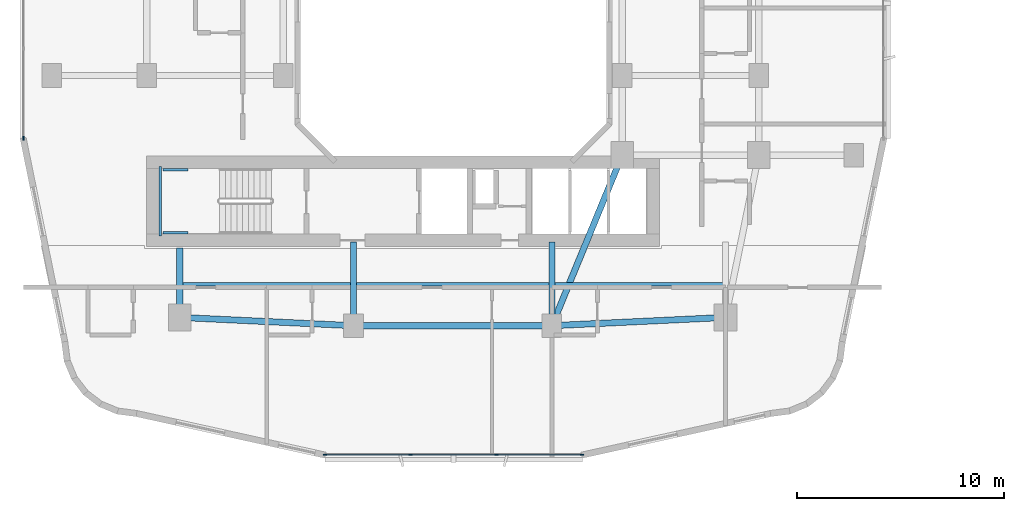
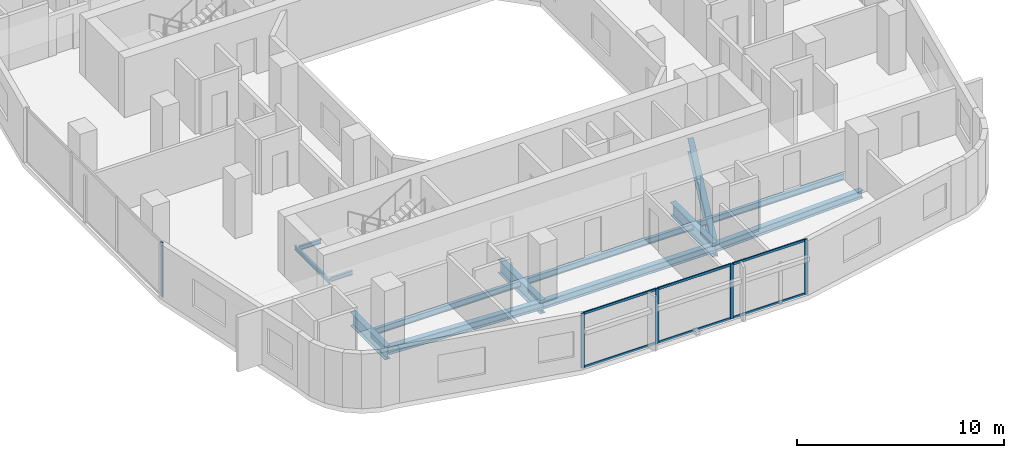
# One storey, part 2 of 27: 13 beams, 11 members, 2 elements without a shape of their own.
"""IFC4 building model written with IfcOpenShell, lengths in metres."""

from ifc_helpers import new_model, si_unit, derived_unit, direction, frame, origin, origin_2d, place, context, subcontext, project, spatial, rectangle, i_section, extrude, material, layer, layer_set, material_profile, profile_set, type_object, element, aggregate, save


model = new_model("IFC4")

# Units and contexts
model_context = context("Model", 3, precision=1e-05, world=origin(), true_north=direction((0.0, 1.0)))
body_context = subcontext(model_context, "Body", "Model", "MODEL_VIEW")
ifc_project = project(units=[si_unit("LENGTHUNIT", "METRE"), si_unit("AREAUNIT", "SQUARE_METRE"), si_unit("VOLUMEUNIT", "CUBIC_METRE"), si_unit("PLANEANGLEUNIT", "RADIAN"), si_unit("MASSUNIT", "GRAM", prefix="KILO"), derived_unit("THERMALTRANSMITTANCEUNIT", [(si_unit("POWERUNIT", "WATT"), 1), (si_unit("LENGTHUNIT", "METRE"), -2), (si_unit("THERMODYNAMICTEMPERATUREUNIT", "KELVIN"), -1)])], contexts=[model_context])

# Site, building, storey
site_placement = place(None, origin())
site = spatial("IfcSite", under=ifc_project, at=site_placement, CompositionType="ELEMENT")
building_placement = place(site_placement, origin())
building = spatial("IfcBuilding", under=site, at=building_placement, Name="Kivonza Crest Hotel", CompositionType="ELEMENT")
storey_placement = place(building_placement, frame((0.0, 0.0, 38.0)))
storey = spatial("IfcBuildingStorey", under=building, at=storey_placement, Name="L09", CompositionType="ELEMENT", Elevation=38.0)

# Beams
ifc_material_1 = material(Name="Steel S355", Category="steel")
ifc_material_profile_1 = material_profile(ifc_material_1, i_section(OverallWidth=0.300048828125, OverallDepth=0.449951171875, WebThickness=0.013916015625, FlangeThickness=0.02587890625, FilletRadius=0.027099609375, at=origin_2d()), Name="HEB 450")
ifc_profile_set_1 = profile_set([ifc_material_profile_1], Name="Steel S355")
beam_type_1 = type_object("IfcBeamType", Name="BM-HEB450", PredefinedType="SPANDREL", material=ifc_profile_set_1)
beam_1_placement = place(storey_placement, frame((16.199951171875, 9.39990234375, -0.5048828125), z_axis=(1.0, 0.0, 0.0), x_axis=(0.0, 1.0, 0.0)))
element("IfcBeam", 1, at=beam_1_placement, inside=storey, type_object=beam_type_1, Name="Tower T1 L09 perimeter spandrel S1-S2", PredefinedType="SPANDREL", context=body_context, shape_type="SweptSolid", body=[
    extrude(i_section(OverallWidth=0.300048828125, OverallDepth=0.449951171875, WebThickness=0.013916015625, FlangeThickness=0.02587890625, FilletRadius=0.027099609375, at=origin_2d()), origin(), (0.0, 0.0, 1.0), 9.60009765625),
])
for number, where, z_axis, x_axis, name in (
    (2, (25.800048828125, 9.39990234375, -0.5048828125), (0.998867283688, 0.047583080799, 0.0), (-0.047583080799, 0.998867283688, 0.0), "Tower T1 L09 perimeter spandrel S2-SE"),
    (3, (7.800048828125, 9.800048828125, -0.5048828125), (0.998867283688, -0.047583080799, 0.0), (0.047583080799, 0.998867283688, 0.0), "Tower T1 L09 perimeter spandrel SW-S1"),
):
    element("IfcBeam", number, at=place(storey_placement, frame(where, z_axis=z_axis, x_axis=x_axis)), inside=storey, type_object=beam_type_1, Name=name, PredefinedType="SPANDREL", context=body_context, shape_type="SweptSolid", body=[
        extrude(i_section(OverallWidth=0.300048828125, OverallDepth=0.449951171875, WebThickness=0.013916015625, FlangeThickness=0.02587890625, FilletRadius=0.027099609375, at=origin_2d()), origin(), (0.0, 0.0, 1.0), 8.409423828125),
    ])
ifc_material_profile_2 = material_profile(ifc_material_1, i_section(OverallWidth=0.300048828125, OverallDepth=0.800048828125, WebThickness=0.017578125, FlangeThickness=0.032958984375, FilletRadius=0.030029296875, at=origin_2d()), Name="HEB 800")
ifc_profile_set_2 = profile_set([ifc_material_profile_2], Name="Steel S355")
beam_type_2 = type_object("IfcBeamType", Name="BM-HEB800", PredefinedType="BEAM", material=ifc_profile_set_2)
beam_2_placement = place(storey_placement, frame((25.800048828125, 9.39990234375, -0.679931640625), z_axis=(0.381022260404, 0.924565864109, 0.0), x_axis=(-0.924565864109, 0.381022260404, 0.0)))
element("IfcBeam", 4, at=beam_2_placement, inside=storey, type_object=beam_type_2, Name="Tower T1 L09 primary girder S1-TSE", PredefinedType="BEAM", context=body_context, shape_type="SweptSolid", body=[
    extrude(i_section(OverallWidth=0.300048828125, OverallDepth=0.800048828125, WebThickness=0.017578125, FlangeThickness=0.032958984375, FilletRadius=0.030029296875, at=origin_2d()), origin(), (0.0, 0.0, 1.0), 8.923095703125),
])
beam_3_placement = place(storey_placement, frame((7.800048828125, 9.800048828125, -0.679931640625), z_axis=(0.0, 1.0, 0.0), x_axis=(-1.0, 0.0, 0.0)))
element("IfcBeam", 5, at=beam_3_placement, inside=storey, type_object=beam_type_2, Name="Tower T1 L09 radial core girder RSW", PredefinedType="BEAM", context=body_context, shape_type="SweptSolid", body=[
    extrude(i_section(OverallWidth=0.300048828125, OverallDepth=0.800048828125, WebThickness=0.017578125, FlangeThickness=0.032958984375, FilletRadius=0.030029296875, at=origin_2d()), origin(), (0.0, 0.0, 1.0), 3.349853515625),
])
for number, where, z_axis, x_axis, name in (
    (6, (16.199951171875, 9.39990234375, -0.679931640625), (0.0, 1.0, 0.0), (-1.0, 0.0, 0.0), "Tower T1 L09 radial core girder RS1"),
    (7, (25.800048828125, 9.39990234375, -0.679931640625), (0.0, 1.0, 0.0), (-1.0, 0.0, 0.0), "Tower T1 L09 radial core girder RS2"),
):
    element("IfcBeam", number, at=place(storey_placement, frame(where, z_axis=z_axis, x_axis=x_axis)), inside=storey, type_object=beam_type_2, Name=name, PredefinedType="BEAM", context=body_context, shape_type="SweptSolid", body=[
        extrude(i_section(OverallWidth=0.300048828125, OverallDepth=0.800048828125, WebThickness=0.017578125, FlangeThickness=0.032958984375, FilletRadius=0.030029296875, at=origin_2d()), origin(), (0.0, 0.0, 1.0), 4.050048828125),
    ])
ifc_material_profile_3 = material_profile(ifc_material_1, i_section(OverallWidth=0.169921875, OverallDepth=0.360107421875, WebThickness=0.008056640625, FlangeThickness=0.0126953125, FilletRadius=0.01806640625, at=origin_2d()), Name="IPE 360")
ifc_profile_set_3 = profile_set([ifc_material_profile_3], Name="Steel S355")
beam_type_3 = type_object("IfcBeamType", Name="BM-IPE360", PredefinedType="JOIST", material=ifc_profile_set_3)
beam_4_placement = place(storey_placement, frame((7.8798828125, 11.39990234375, -0.4599609375), z_axis=(1.0, 0.0, 0.0), x_axis=(0.0, 1.0, 0.0)))
element("IfcBeam", 8, at=beam_4_placement, inside=storey, type_object=beam_type_3, Name="Tower T1 L09 South-West floor joist", PredefinedType="JOIST", context=body_context, shape_type="SweptSolid", body=[
    extrude(i_section(OverallWidth=0.169921875, OverallDepth=0.360107421875, WebThickness=0.008056640625, FlangeThickness=0.0126953125, FilletRadius=0.01806640625, at=origin_2d()), origin(), (0.0, 0.0, 1.0), 8.240234375),
])
beam_5_placement = place(storey_placement, frame((16.280029296875, 11.39990234375, -0.4599609375), z_axis=(1.0, 0.0, 0.0), x_axis=(0.0, 1.0, 0.0)))
element("IfcBeam", 9, at=beam_5_placement, inside=storey, type_object=beam_type_3, Name="Tower T1 L09 South-Mid floor joist", PredefinedType="JOIST", context=body_context, shape_type="SweptSolid", body=[
    extrude(i_section(OverallWidth=0.169921875, OverallDepth=0.360107421875, WebThickness=0.008056640625, FlangeThickness=0.0126953125, FilletRadius=0.01806640625, at=origin_2d()), origin(), (0.0, 0.0, 1.0), 9.43994140625),
])
beam_6_placement = place(storey_placement, frame((25.8798828125, 11.39990234375, -0.4599609375), z_axis=(1.0, 0.0, 0.0), x_axis=(0.0, 1.0, 0.0)))
element("IfcBeam", 10, at=beam_6_placement, inside=storey, type_object=beam_type_3, Name="Tower T1 L09 South-East floor joist", PredefinedType="JOIST", context=body_context, shape_type="SweptSolid", body=[
    extrude(i_section(OverallWidth=0.169921875, OverallDepth=0.360107421875, WebThickness=0.008056640625, FlangeThickness=0.0126953125, FilletRadius=0.01806640625, at=origin_2d()), origin(), (0.0, 0.0, 1.0), 8.240234375),
])
ifc_material_profile_4 = material_profile(ifc_material_1, i_section(OverallWidth=0.1201171875, OverallDepth=0.239990234375, WebThickness=0.006103515625, FlangeThickness=0.009765625, FilletRadius=0.014892578125, at=origin_2d()), Name="IPE 240")
ifc_profile_set_4 = profile_set([ifc_material_profile_4], Name="Steel S355")
beam_type_4 = type_object("IfcBeamType", Name="BM-LLDG-240", PredefinedType="BEAM", material=ifc_profile_set_4)
beam_7_placement = place(storey_placement, frame((6.860107421875, 13.739990234375, 1.429931640625), z_axis=(0.0, 1.0, 0.0), x_axis=(-1.0, 0.0, 0.0)))
element("IfcBeam", 11, at=beam_7_placement, inside=storey, type_object=beam_type_4, Name="Stair ST-T1-S L09 West landing corbel", PredefinedType="BEAM", context=body_context, shape_type="SweptSolid", body=[
    extrude(i_section(OverallWidth=0.1201171875, OverallDepth=0.239990234375, WebThickness=0.006103515625, FlangeThickness=0.009765625, FilletRadius=0.014892578125, at=origin_2d()), origin(), (0.0, 0.0, 1.0), 3.360107421875),
])
for number, where, z_axis, x_axis, name in (
    (12, (6.989990234375, 13.89990234375, 1.429931640625), (1.0, 0.0, 0.0), (0.0, 1.0, 0.0), "Stair ST-T1-S L09 South landing corbel"),
    (13, (6.989990234375, 16.93994140625, 1.429931640625), (1.0, 0.0, 0.0), (0.0, 1.0, 0.0), "Stair ST-T1-S L09 North landing corbel"),
):
    element("IfcBeam", number, at=place(storey_placement, frame(where, z_axis=z_axis, x_axis=x_axis)), inside=storey, type_object=beam_type_4, Name=name, PredefinedType="BEAM", context=body_context, shape_type="SweptSolid", body=[
        extrude(i_section(OverallWidth=0.1201171875, OverallDepth=0.239990234375, WebThickness=0.006103515625, FlangeThickness=0.009765625, FilletRadius=0.014892578125, at=origin_2d()), origin(), (0.0, 0.0, 1.0), 1.2099609375),
    ])

# Curtain wall, members
ifc_material_2 = material(Name="Anodised bronze aluminium and low-E double glazing", Category="aluminium")
ifc_layer = layer(ifc_material_2, 0.179931640625)
ifc_layer_set = layer_set([ifc_layer], Name="Anodised bronze aluminium and low-E double glazing")
curtain_wall_type = type_object("IfcCurtainWallType", Name="CW-SYS-2", PredefinedType="NOTDEFINED", material=ifc_layer_set)
curtain_wall_1_placement = place(storey_placement, origin())
curtain_wall_1 = element("IfcCurtainWall", 14, at=curtain_wall_1_placement, inside=storey, type_object=curtain_wall_type, Name="L09 unitised curtain wall CW-T1-L09-08", PredefinedType="NOTDEFINED")
ifc_material_3 = material(Name="Anodised bronze aluminium", Category="aluminium")
ifc_material_profile_5 = material_profile(ifc_material_3, rectangle(XDim=0.06494140625, YDim=0.179931640625, at=origin_2d()), Name="CW-M 65x180")
ifc_profile_set_5 = profile_set([ifc_material_profile_5], Name="Anodised bronze aluminium")
member_type_1 = type_object("IfcMemberType", Name="CW-MUL-65x180", PredefinedType="MULLION", material=ifc_profile_set_5)
member_1_placement = place(storey_placement, frame((14.824462890625, 3.159912109375, 0.0), z_axis=(0.0, 0.0, 1.0), x_axis=(0.0, 1.0, 0.0)))
member_1 = element("IfcMember", 15, at=member_1_placement, type_object=member_type_1, Name="CW-2 mullion 1", PredefinedType="MULLION", context=body_context, shape_type="SweptSolid", body=[
    extrude(rectangle(XDim=0.06494140625, YDim=0.179931640625, at=origin_2d()), origin(), (0.0, 0.0, 1.0), 3.219970703125),
])
member_2_placement = place(storey_placement, frame((18.957275390625, 3.159912109375, 0.0), z_axis=(0.0, 0.0, 1.0), x_axis=(0.0, 1.0, 0.0)))
member_2 = element("IfcMember", 16, at=member_2_placement, type_object=member_type_1, Name="CW-2 mullion 2", PredefinedType="MULLION", context=body_context, shape_type="SweptSolid", body=[
    extrude(rectangle(XDim=0.06494140625, YDim=0.179931640625, at=origin_2d()), origin(), (0.0, 0.0, 1.0), 3.219970703125),
])
member_3_placement = place(storey_placement, frame((23.12255859375, 3.159912109375, 0.0), z_axis=(0.0, 0.0, 1.0), x_axis=(0.0, 1.0, 0.0)))
member_3 = element("IfcMember", 17, at=member_3_placement, type_object=member_type_1, Name="CW-2 mullion 3", PredefinedType="MULLION", context=body_context, shape_type="SweptSolid", body=[
    extrude(rectangle(XDim=0.06494140625, YDim=0.179931640625, at=origin_2d()), origin(), (0.0, 0.0, 1.0), 3.219970703125),
])
member_4_placement = place(storey_placement, frame((27.255615234375, 3.159912109375, 0.0), z_axis=(0.0, 0.0, 1.0), x_axis=(0.0, 1.0, 0.0)))
member_4 = element("IfcMember", 18, at=member_4_placement, type_object=member_type_1, Name="CW-2 mullion 4", PredefinedType="MULLION", context=body_context, shape_type="SweptSolid", body=[
    extrude(rectangle(XDim=0.06494140625, YDim=0.179931640625, at=origin_2d()), origin(), (0.0, 0.0, 1.0), 3.219970703125),
])

# Curtain wall, member
curtain_wall_2_placement = place(storey_placement, origin())
curtain_wall_2 = element("IfcCurtainWall", 19, at=curtain_wall_2_placement, inside=storey, type_object=curtain_wall_type, Name="L09 unitised curtain wall CW-T1-L09-35", PredefinedType="NOTDEFINED")
member_5_placement = place(storey_placement, frame((0.239990234375, 18.472412109375, 0.0), z_axis=(0.0, 0.0, 1.0), x_axis=(1.0, 0.0, 0.0)))
member_5 = element("IfcMember", 20, at=member_5_placement, type_object=member_type_1, Name="CW-2 mullion 4", PredefinedType="MULLION", context=body_context, shape_type="SweptSolid", body=[
    extrude(rectangle(XDim=0.06494140625, YDim=0.179931640625, at=origin_2d()), origin(), (0.0, 0.0, 1.0), 3.219970703125),
])
aggregate(curtain_wall_2, [member_5])

# Member
ifc_material_profile_6 = material_profile(ifc_material_3, rectangle(XDim=0.06494140625, YDim=0.139892578125, at=origin_2d()), Name="CW-T 65x140")
ifc_profile_set_6 = profile_set([ifc_material_profile_6], Name="Anodised bronze aluminium")
member_type_2 = type_object("IfcMemberType", Name="CW-TRN-65x140", PredefinedType="USERDEFINED", material=ifc_profile_set_6)
member_6_placement = place(storey_placement, frame((14.85693359375, 3.159912109375, 0.032470703125), z_axis=(1.0, 0.0, 0.0), x_axis=(0.0, 1.0, 0.0)))
member_6 = element("IfcMember", 21, at=member_6_placement, type_object=member_type_2, Name="CW-2 transom 1.1", ObjectType="TRANSOM", PredefinedType="USERDEFINED", context=body_context, shape_type="SweptSolid", body=[
    extrude(rectangle(XDim=0.06494140625, YDim=0.139892578125, at=origin_2d()), origin(), (0.0, 0.0, 1.0), 4.06787109375),
])

member_7_placement = place(storey_placement, frame((14.85693359375, 3.159912109375, 3.1875), z_axis=(1.0, 0.0, 0.0), x_axis=(0.0, 1.0, 0.0)))
member_7 = element("IfcMember", 22, at=member_7_placement, type_object=member_type_2, Name="CW-2 transom 1.2", ObjectType="TRANSOM", PredefinedType="USERDEFINED", context=body_context, shape_type="SweptSolid", body=[
    extrude(rectangle(XDim=0.06494140625, YDim=0.139892578125, at=origin_2d()), origin(), (0.0, 0.0, 1.0), 4.06787109375),
])

member_8_placement = place(storey_placement, frame((18.98974609375, 3.159912109375, 0.032470703125), z_axis=(1.0, 0.0, 0.0), x_axis=(0.0, 1.0, 0.0)))
member_8 = element("IfcMember", 23, at=member_8_placement, type_object=member_type_2, Name="CW-2 transom 2.1", ObjectType="TRANSOM", PredefinedType="USERDEFINED", context=body_context, shape_type="SweptSolid", body=[
    extrude(rectangle(XDim=0.06494140625, YDim=0.139892578125, at=origin_2d()), origin(), (0.0, 0.0, 1.0), 4.100341796875),
])

member_9_placement = place(storey_placement, frame((18.98974609375, 3.159912109375, 3.1875), z_axis=(1.0, 0.0, 0.0), x_axis=(0.0, 1.0, 0.0)))
member_9 = element("IfcMember", 24, at=member_9_placement, type_object=member_type_2, Name="CW-2 transom 2.2", ObjectType="TRANSOM", PredefinedType="USERDEFINED", context=body_context, shape_type="SweptSolid", body=[
    extrude(rectangle(XDim=0.06494140625, YDim=0.139892578125, at=origin_2d()), origin(), (0.0, 0.0, 1.0), 4.100341796875),
])

member_10_placement = place(storey_placement, frame((23.1552734375, 3.159912109375, 0.032470703125), z_axis=(1.0, 0.0, 0.0), x_axis=(0.0, 1.0, 0.0)))
member_10 = element("IfcMember", 25, at=member_10_placement, type_object=member_type_2, Name="CW-2 transom 3.1", ObjectType="TRANSOM", PredefinedType="USERDEFINED", context=body_context, shape_type="SweptSolid", body=[
    extrude(rectangle(XDim=0.06494140625, YDim=0.139892578125, at=origin_2d()), origin(), (0.0, 0.0, 1.0), 4.067626953125),
])

member_11_placement = place(storey_placement, frame((23.1552734375, 3.159912109375, 3.1875), z_axis=(1.0, 0.0, 0.0), x_axis=(0.0, 1.0, 0.0)))
member_11 = element("IfcMember", 26, at=member_11_placement, type_object=member_type_2, Name="CW-2 transom 3.2", ObjectType="TRANSOM", PredefinedType="USERDEFINED", context=body_context, shape_type="SweptSolid", body=[
    extrude(rectangle(XDim=0.06494140625, YDim=0.139892578125, at=origin_2d()), origin(), (0.0, 0.0, 1.0), 4.067626953125),
])

aggregate(curtain_wall_1, [member_1, member_2, member_3, member_4, member_6, member_7, member_8, member_9, member_10, member_11])

save(model, "model.ifc")
